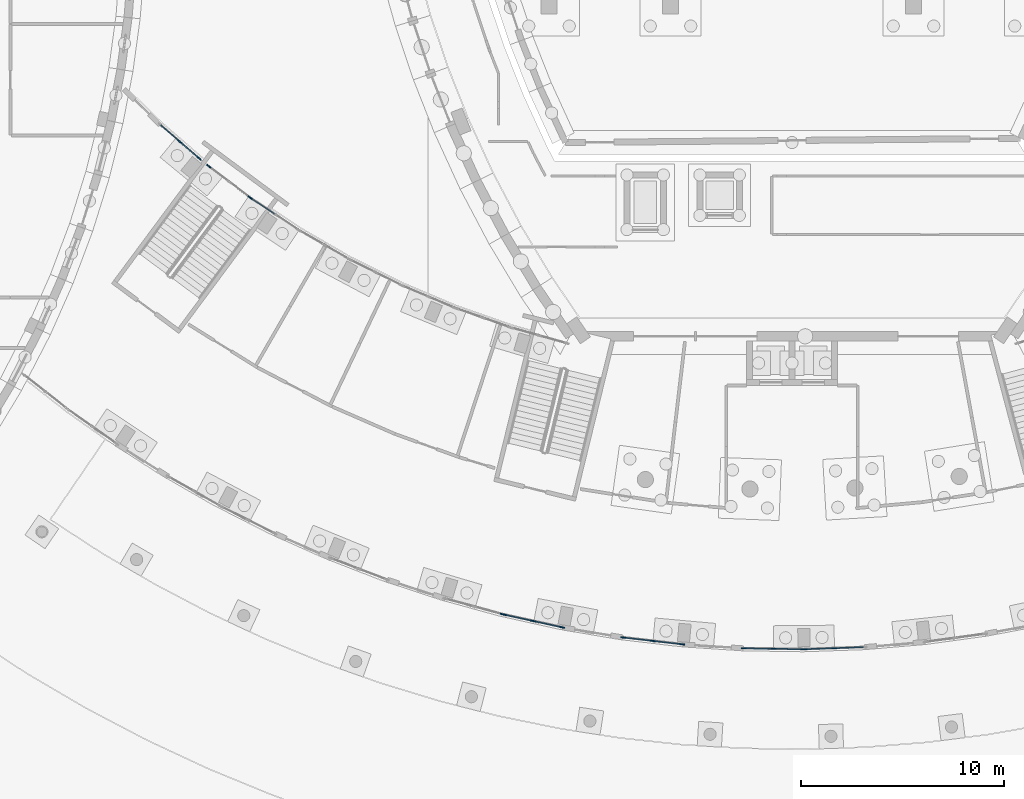
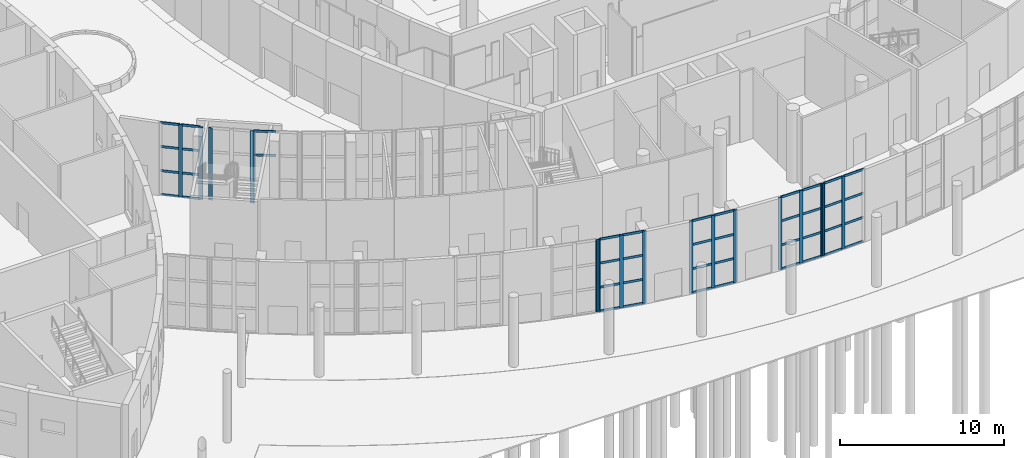
# One storey, part 20 of 82: 58 members, 8 elements without a shape of their own.
"""IFC4 building model written with IfcOpenShell, lengths in metres."""

import ifcopenshell
import ifcopenshell.guid

model = None  # the IFC model being written
_history = None  # IfcOwnerHistory: only IFC2X3 demands one
_inside = {}  # id of a spatial element -> (the spatial element, [elements in it])
_under = {}  # id of a project, library or spatial element -> (it, [spatial elements below it])
_declared = {}  # id of a project -> (the project, [libraries it declares])
_typed = {}  # id of a type object -> (the type object, [elements of that type])
_made_of = {}  # id of a material, layer set ... -> (it, [elements and type objects made of it])


def new_model(schema):
    """Start an empty IFC model of exactly this schema.

    Asked for "IFC4X3", IfcOpenShell would pick the latest addendum, in which some entities
    have other attributes; the version numbers below select the first issue.
    IFC2X3 requires an IfcOwnerHistory on every rooted entity: one is made here for all.
    """
    global model, _history
    if schema == "IFC4X3":
        model = ifcopenshell.file(schema_version=(4, 3, 0, 0))
    else:
        model = ifcopenshell.file(schema=schema)
    _inside.clear()
    _under.clear()
    _declared.clear()
    _typed.clear()
    _made_of.clear()
    _history = None
    if model.schema == "IFC2X3":
        org = make("IfcOrganization", Name="unknown")
        user = make(
            "IfcPersonAndOrganization",
            ThePerson=make("IfcPerson", FamilyName="unknown"),
            TheOrganization=org,
        )
        app = make(
            "IfcApplication",
            ApplicationDeveloper=org,
            Version="unknown",
            ApplicationFullName="unknown",
            ApplicationIdentifier="unknown",
        )
        _history = make(
            "IfcOwnerHistory",
            OwningUser=user,
            OwningApplication=app,
            ChangeAction="ADDED",
            CreationDate=0,
        )
    return model


def make(cls, **values):
    """One entity of the class cls with the attributes given. An attribute that is None is left unset."""
    return model.create_entity(
        cls, **{name: value for name, value in values.items() if value is not None}
    )


def rooted(cls, **values):
    """An entity with a GlobalId (a new one), such as an element, a storey or a relation."""
    return make(cls, GlobalId=ifcopenshell.guid.new(), OwnerHistory=_history, **values)


def si_unit(unit_type, name, prefix=None):
    """IfcSIUnit, for example si_unit("LENGTHUNIT", "METRE", prefix="MILLI")."""
    return make("IfcSIUnit", UnitType=unit_type, Prefix=prefix, Name=name)


def assignment(units):
    """IfcUnitAssignment: the units of a project."""
    return None if units is None else make("IfcUnitAssignment", Units=units)


def point(xyz):
    """IfcCartesianPoint."""
    return None if xyz is None else make("IfcCartesianPoint", Coordinates=xyz)


def direction(xyz):
    """IfcDirection."""
    return None if xyz is None else make("IfcDirection", DirectionRatios=xyz)


def frame(location, z_axis=None, x_axis=None):
    """IfcAxis2Placement3D, a coordinate frame: its origin and axes. An axis left out is left unset."""
    return make(
        "IfcAxis2Placement3D",
        Location=point(location),
        Axis=direction(z_axis),
        RefDirection=direction(x_axis),
    )


def frame_2d(location, x_axis=None):
    """IfcAxis2Placement2D, a coordinate frame in the plane: its origin and x axis."""
    return make(
        "IfcAxis2Placement2D", Location=point(location), RefDirection=direction(x_axis)
    )


def origin():
    """The frame at (0, 0, 0) with its axes left unset."""
    return frame((0.0, 0.0, 0.0))


def origin_2d():
    """The frame at (0, 0) in the plane with its x axis left unset."""
    return frame_2d((0.0, 0.0))


def place(relative_to, where):
    """IfcLocalPlacement: puts the frame where relative to a parent placement (None: the world)."""
    return make(
        "IfcLocalPlacement", PlacementRelTo=relative_to, RelativePlacement=where
    )


def context(
    kind, dimensions, precision=None, world=None, true_north=None, identifier=None
):
    """IfcGeometricRepresentationContext, for example the 3D "Model" context."""
    return make(
        "IfcGeometricRepresentationContext",
        ContextIdentifier=identifier,
        ContextType=kind,
        CoordinateSpaceDimension=dimensions,
        Precision=precision,
        WorldCoordinateSystem=world,
        TrueNorth=true_north,
    )


def subcontext(parent, identifier, kind, view, scale=None):
    """IfcGeometricRepresentationSubContext, for example "Body" below "Model"."""
    return make(
        "IfcGeometricRepresentationSubContext",
        ContextIdentifier=identifier,
        ContextType=kind,
        ParentContext=parent,
        TargetScale=scale,
        TargetView=view,
    )


def project(units=None, contexts=None):
    """IfcProject with its units and contexts."""
    return rooted(
        "IfcProject",
        Name="project",
        RepresentationContexts=contexts,
        UnitsInContext=assignment(units),
    )


def spatial(cls, under=None, at=None, **own):
    """A site, building, storey or space (cls), placed at a placement, below another one or the project."""
    s = rooted(cls, ObjectPlacement=at, **own)
    if under is not None:
        _under.setdefault(under.id(), (under, []))[1].append(s)
    return s


def profile(cls, at=None, kind="AREA", **sizes):
    """A parametric profile (cls). Its sizes go by their IFC names, for example OverallWidth=200.0."""
    return make(cls, ProfileType=kind, Position=at, **sizes)


def rectangle(**sizes):
    """IfcRectangleProfileDef."""
    return profile("IfcRectangleProfileDef", **sizes)


def extrude(swept, where, along, depth):
    """IfcExtrudedAreaSolid: the profile swept, set in the frame where, extruded along a direction by depth."""
    return make(
        "IfcExtrudedAreaSolid",
        SweptArea=swept,
        Position=where,
        ExtrudedDirection=direction(along),
        Depth=depth,
    )


def shape(context_of_items, identifier, shape_type, items):
    """IfcShapeRepresentation: the items that make up one representation, for example the "Body"."""
    return make(
        "IfcShapeRepresentation",
        ContextOfItems=context_of_items,
        RepresentationIdentifier=identifier,
        RepresentationType=shape_type,
        Items=items,
    )


def material(Name=None, Category=None):
    """IfcMaterial."""
    return make("IfcMaterial", Name=Name, Category=Category)


def material_profile(
    of_material, cross_section, Name=None, Category=None, Priority=None
):
    """IfcMaterialProfile: a cross section and its material."""
    return make(
        "IfcMaterialProfile",
        Name=Name,
        Material=of_material,
        Profile=cross_section,
        Priority=Priority,
        Category=Category,
    )


def profile_set(profiles, Name=None, composite=None):
    """IfcMaterialProfileSet."""
    return make(
        "IfcMaterialProfileSet",
        Name=Name,
        MaterialProfiles=profiles,
        CompositeProfile=composite,
    )


def made_of(thing, what):
    """Note that an element or type object is made of a material, layer set ...; save() writes the relation."""
    if what is not None:
        _made_of.setdefault(what.id(), (what, []))[1].append(thing)
    return thing


def type_object(cls, material=None, **own):
    """A type object (cls), such as IfcWallType, which elements share."""
    return made_of(rooted(cls, **own), material)


def element(
    cls,
    number,
    at=None,
    inside=None,
    cuts=None,
    type_object=None,
    material=None,
    context=None,
    identifier="Body",
    shape_type=None,
    held_by="IfcProductDefinitionShape",
    body=None,
    shapes=None,
    **own,
):
    """One element of the class cls, such as IfcWall. Its Tag is "e" and its number.

    at: its placement. inside: the storey or other place that contains it. cuts: it is an
    opening in that element (IfcRelVoidsElement). A single representation is given by context,
    identifier, shape_type and body (its items); several are given by shapes. held_by: the class
    of the entity that holds the representations. save() writes the other relations.
    """
    e = rooted(cls, Tag="e%d" % number, ObjectPlacement=at, **own)
    if body is not None:
        shapes = [shape(context, identifier, shape_type, body)]
    if shapes is not None:
        e.Representation = make(held_by, Representations=shapes)
    if inside is not None:
        _inside.setdefault(inside.id(), (inside, []))[1].append(e)
    if cuts is not None:
        rooted(
            "IfcRelVoidsElement", RelatingBuildingElement=cuts, RelatedOpeningElement=e
        )
    if type_object is not None:
        _typed.setdefault(type_object.id(), (type_object, []))[1].append(e)
    return made_of(e, material)


def aggregate(whole, parts):
    """IfcRelAggregates: a whole, such as a stair, and the parts it consists of."""
    return rooted("IfcRelAggregates", RelatingObject=whole, RelatedObjects=parts)


def save(model, path):
    """Write the relations noted so far, then the file.

    IfcRelAggregates (storeys below a building ...), IfcRelContainedInSpatialStructure (elements
    in a storey), IfcRelDefinesByType, IfcRelAssociatesMaterial and IfcRelDeclares: one each for
    every whole, place, type object, material and project.
    """
    for whole, parts in _under.values():
        aggregate(whole, parts)
    for where, things in _inside.values():
        rooted(
            "IfcRelContainedInSpatialStructure",
            RelatedElements=things,
            RelatingStructure=where,
        )
    for kind, things in _typed.values():
        rooted("IfcRelDefinesByType", RelatedObjects=things, RelatingType=kind)
    for what, things in _made_of.values():
        rooted("IfcRelAssociatesMaterial", RelatedObjects=things, RelatingMaterial=what)
    for by, libraries in _declared.values():
        rooted("IfcRelDeclares", RelatingContext=by, RelatedDefinitions=libraries)
    model.write(path)


model = new_model("IFC4")

# Units and contexts
model_context = context("Model", 3, precision=1e-05, world=origin(), true_north=direction((0.0, 1.0)))
body_context = subcontext(model_context, "Body", "Model", "MODEL_VIEW")
ifc_project = project(units=[si_unit("LENGTHUNIT", "METRE"), si_unit("AREAUNIT", "SQUARE_METRE"), si_unit("VOLUMEUNIT", "CUBIC_METRE"), si_unit("PLANEANGLEUNIT", "RADIAN"), si_unit("MASSUNIT", "GRAM", prefix="KILO")], contexts=[model_context])

# Site, building, storey
site_placement = place(None, origin())
site = spatial("IfcSite", under=ifc_project, at=site_placement, CompositionType="ELEMENT")
building_placement = place(site_placement, origin())
building = spatial("IfcBuilding", under=site, at=building_placement, Name="Tide Square Theatres", CompositionType="ELEMENT")
storey_placement = place(building_placement, origin())
storey = spatial("IfcBuildingStorey", under=building, at=storey_placement, Name="L00", CompositionType="ELEMENT", Elevation=0.0)

# Curtain wall, member
ifc_material_1 = material(Name="Aluminium 6063-T5", Category="aluminium")
curtain_wall_type = type_object("IfcCurtainWallType", Name="Unitised system curtain wall 5400 high", PredefinedType="USERDEFINED", material=ifc_material_1)
curtain_wall_1_placement = place(storey_placement, origin())
curtain_wall_1 = element("IfcCurtainWall", 1, at=curtain_wall_1_placement, inside=storey, type_object=curtain_wall_type, Name="Foyer outer curtain wall", ObjectType="UNITISED SYSTEM", PredefinedType="USERDEFINED")
ifc_material_2 = material(Name="Aluminium 6063-T5", Category="aluminium")
ifc_material_profile_1 = material_profile(ifc_material_2, rectangle(XDim=0.06005859375, YDim=0.25, at=origin_2d()))
ifc_profile_set_1 = profile_set([ifc_material_profile_1], Name="Aluminium 6063-T5")
member_type_1 = type_object("IfcMemberType", Name="Aluminium mullion 60 x 250", PredefinedType="MULLION", material=ifc_profile_set_1)
member_1_placement = place(storey_placement, frame((69.719482421875, 9.853759765625, 0.0), z_axis=(0.0, 0.0, 1.0), x_axis=(0.262213530715, 0.96500987783, 0.0)))
member_1 = element("IfcMember", 2, at=member_1_placement, type_object=member_type_1, Name="CW-01 mullion 3", PredefinedType="MULLION", context=body_context, shape_type="SweptSolid", body=[
    extrude(rectangle(XDim=0.06005859375, YDim=0.25, at=origin_2d()), origin(), (0.0, 0.0, 1.0), 5.39990234375),
])
aggregate(curtain_wall_1, [member_1])

# Curtain wall, members
curtain_wall_2_placement = place(storey_placement, origin())
curtain_wall_2 = element("IfcCurtainWall", 3, at=curtain_wall_2_placement, inside=storey, type_object=curtain_wall_type, Name="Foyer outer curtain wall", ObjectType="UNITISED SYSTEM", PredefinedType="USERDEFINED")
member_2_placement = place(storey_placement, frame((69.77783203125, 9.839599609375, 0.0), z_axis=(0.0, 0.0, 1.0), x_axis=(0.213653079584, 0.976909597447, 0.0)))
member_2 = element("IfcMember", 4, at=member_2_placement, type_object=member_type_1, Name="CW-01 mullion 1", PredefinedType="MULLION", context=body_context, shape_type="SweptSolid", body=[
    extrude(rectangle(XDim=0.06005859375, YDim=0.25, at=origin_2d()), origin(), (0.0, 0.0, 1.0), 5.39990234375),
])
member_3_placement = place(storey_placement, frame((71.2119140625, 9.52587890625, 0.0), z_axis=(0.0, 0.0, 1.0), x_axis=(0.213653079584, 0.976909597447, 0.0)))
member_3 = element("IfcMember", 5, at=member_3_placement, type_object=member_type_1, Name="CW-01 mullion 2", PredefinedType="MULLION", context=body_context, shape_type="SweptSolid", body=[
    extrude(rectangle(XDim=0.06005859375, YDim=0.25, at=origin_2d()), origin(), (0.0, 0.0, 1.0), 5.39990234375),
])
member_4_placement = place(storey_placement, frame((72.64599609375, 9.212158203125, 0.0), z_axis=(0.0, 0.0, 1.0), x_axis=(0.213653079584, 0.976909597447, 0.0)))
member_4 = element("IfcMember", 6, at=member_4_placement, type_object=member_type_1, Name="CW-01 mullion 3", PredefinedType="MULLION", context=body_context, shape_type="SweptSolid", body=[
    extrude(rectangle(XDim=0.06005859375, YDim=0.25, at=origin_2d()), origin(), (0.0, 0.0, 1.0), 5.39990234375),
])

curtain_wall_3_placement = place(storey_placement, origin())
curtain_wall_3 = element("IfcCurtainWall", 7, at=curtain_wall_3_placement, inside=storey, type_object=curtain_wall_type, Name="Foyer outer curtain wall", ObjectType="UNITISED SYSTEM", PredefinedType="USERDEFINED")
member_5_placement = place(storey_placement, frame((75.66015625, 8.70947265625, 0.0), z_axis=(0.0, 0.0, 1.0), x_axis=(0.114954765797, 0.993370727282, 0.0)))
member_5 = element("IfcMember", 8, at=member_5_placement, type_object=member_type_1, Name="CW-01 mullion 1", PredefinedType="MULLION", context=body_context, shape_type="SweptSolid", body=[
    extrude(rectangle(XDim=0.06005859375, YDim=0.25, at=origin_2d()), origin(), (0.0, 0.0, 1.0), 5.39990234375),
])
member_6_placement = place(storey_placement, frame((77.118408203125, 8.540771484375, 0.0), z_axis=(0.0, 0.0, 1.0), x_axis=(0.114954765797, 0.993370727282, 0.0)))
member_6 = element("IfcMember", 9, at=member_6_placement, type_object=member_type_1, Name="CW-01 mullion 2", PredefinedType="MULLION", context=body_context, shape_type="SweptSolid", body=[
    extrude(rectangle(XDim=0.06005859375, YDim=0.25, at=origin_2d()), origin(), (0.0, 0.0, 1.0), 5.39990234375),
])
member_7_placement = place(storey_placement, frame((78.57666015625, 8.3720703125, 0.0), z_axis=(0.0, 0.0, 1.0), x_axis=(0.114954765797, 0.993370727282, 0.0)))
member_7 = element("IfcMember", 10, at=member_7_placement, type_object=member_type_1, Name="CW-01 mullion 3", PredefinedType="MULLION", context=body_context, shape_type="SweptSolid", body=[
    extrude(rectangle(XDim=0.06005859375, YDim=0.25, at=origin_2d()), origin(), (0.0, 0.0, 1.0), 5.39990234375),
])

curtain_wall_4_placement = place(storey_placement, origin())
curtain_wall_4 = element("IfcCurtainWall", 11, at=curtain_wall_4_placement, inside=storey, type_object=curtain_wall_type, Name="Foyer outer curtain wall", ObjectType="UNITISED SYSTEM", PredefinedType="USERDEFINED")
member_8_placement = place(storey_placement, frame((81.626220703125, 8.1728515625, 0.0), z_axis=(0.0, 0.0, 1.0), x_axis=(0.015120450414, 0.999885679455, 0.0)))
member_8 = element("IfcMember", 12, at=member_8_placement, type_object=member_type_1, Name="CW-01 mullion 1", PredefinedType="MULLION", context=body_context, shape_type="SweptSolid", body=[
    extrude(rectangle(XDim=0.06005859375, YDim=0.25, at=origin_2d()), origin(), (0.0, 0.0, 1.0), 5.39990234375),
])
member_9_placement = place(storey_placement, frame((83.093994140625, 8.150634765625, 0.0), z_axis=(0.0, 0.0, 1.0), x_axis=(0.015120450414, 0.999885679455, 0.0)))
member_9 = element("IfcMember", 13, at=member_9_placement, type_object=member_type_1, Name="CW-01 mullion 2", PredefinedType="MULLION", context=body_context, shape_type="SweptSolid", body=[
    extrude(rectangle(XDim=0.06005859375, YDim=0.25, at=origin_2d()), origin(), (0.0, 0.0, 1.0), 5.39990234375),
])
member_10_placement = place(storey_placement, frame((84.561767578125, 8.12841796875, 0.0), z_axis=(0.0, 0.0, 1.0), x_axis=(0.015120450414, 0.999885679455, 0.0)))
member_10 = element("IfcMember", 14, at=member_10_placement, type_object=member_type_1, Name="CW-01 mullion 3", PredefinedType="MULLION", context=body_context, shape_type="SweptSolid", body=[
    extrude(rectangle(XDim=0.06005859375, YDim=0.25, at=origin_2d()), origin(), (0.0, 0.0, 1.0), 5.39990234375),
])

curtain_wall_5_placement = place(storey_placement, origin())
curtain_wall_5 = element("IfcCurtainWall", 15, at=curtain_wall_5_placement, inside=storey, type_object=curtain_wall_type, Name="Foyer outer curtain wall", ObjectType="UNITISED SYSTEM", PredefinedType="USERDEFINED")
member_11_placement = place(storey_placement, frame((84.621826171875, 8.129150390625, 0.0), z_axis=(0.0, 0.0, 1.0), x_axis=(-0.034879571875, 0.999391522611, 0.0)))
member_11 = element("IfcMember", 16, at=member_11_placement, type_object=member_type_1, Name="CW-01 mullion 1", PredefinedType="MULLION", context=body_context, shape_type="SweptSolid", body=[
    extrude(rectangle(XDim=0.06005859375, YDim=0.25, at=origin_2d()), origin(), (0.0, 0.0, 1.0), 5.39990234375),
])
member_12_placement = place(storey_placement, frame((86.0888671875, 8.18017578125, 0.0), z_axis=(0.0, 0.0, 1.0), x_axis=(-0.034879571875, 0.999391522611, 0.0)))
member_12 = element("IfcMember", 17, at=member_12_placement, type_object=member_type_1, Name="CW-01 mullion 2", PredefinedType="MULLION", context=body_context, shape_type="SweptSolid", body=[
    extrude(rectangle(XDim=0.06005859375, YDim=0.25, at=origin_2d()), origin(), (0.0, 0.0, 1.0), 5.39990234375),
])

curtain_wall_6_placement = place(storey_placement, origin())
curtain_wall_6 = element("IfcCurtainWall", 18, at=curtain_wall_6_placement, inside=storey, type_object=curtain_wall_type, Name="Foyer inner curtain wall", ObjectType="UNITISED SYSTEM", PredefinedType="USERDEFINED")
member_13_placement = place(storey_placement, frame((57.24072265625, 30.431884765625, 0.0), z_axis=(0.0, 0.0, 1.0), x_axis=(-0.604785752731, -0.796388217702, 0.0)))
member_13 = element("IfcMember", 19, at=member_13_placement, type_object=member_type_1, Name="CW-01 mullion 1", PredefinedType="MULLION", context=body_context, shape_type="SweptSolid", body=[
    extrude(rectangle(XDim=0.06005859375, YDim=0.25, at=origin_2d()), origin(), (0.0, 0.0, 1.0), 5.39990234375),
])
member_14_placement = place(storey_placement, frame((55.19775390625, 31.983154296875, 0.0), z_axis=(0.0, 0.0, 1.0), x_axis=(-0.604785752731, -0.796388217702, 0.0)))
member_14 = element("IfcMember", 20, at=member_14_placement, type_object=member_type_1, Name="CW-01 mullion 3", PredefinedType="MULLION", context=body_context, shape_type="SweptSolid", body=[
    extrude(rectangle(XDim=0.06005859375, YDim=0.25, at=origin_2d()), origin(), (0.0, 0.0, 1.0), 5.39990234375),
])
aggregate(curtain_wall_6, [member_13, member_14])

curtain_wall_7_placement = place(storey_placement, origin())
curtain_wall_7 = element("IfcCurtainWall", 21, at=curtain_wall_7_placement, inside=storey, type_object=curtain_wall_type, Name="Foyer inner curtain wall", ObjectType="UNITISED SYSTEM", PredefinedType="USERDEFINED")
member_15_placement = place(storey_placement, frame((54.724609375, 32.367919921875, 0.0), z_axis=(0.0, 0.0, 1.0), x_axis=(-0.653310647886, -0.75708995328, 0.0)))
member_15 = element("IfcMember", 22, at=member_15_placement, type_object=member_type_1, Name="CW-01 mullion 1", PredefinedType="MULLION", context=body_context, shape_type="SweptSolid", body=[
    extrude(rectangle(XDim=0.06005859375, YDim=0.25, at=origin_2d()), origin(), (0.0, 0.0, 1.0), 5.39990234375),
])
member_16_placement = place(storey_placement, frame((53.768798828125, 33.19287109375, 0.0), z_axis=(0.0, 0.0, 1.0), x_axis=(-0.653310647886, -0.75708995328, 0.0)))
member_16 = element("IfcMember", 23, at=member_16_placement, type_object=member_type_1, Name="CW-01 mullion 2", PredefinedType="MULLION", context=body_context, shape_type="SweptSolid", body=[
    extrude(rectangle(XDim=0.06005859375, YDim=0.25, at=origin_2d()), origin(), (0.0, 0.0, 1.0), 5.39990234375),
])

# Member
ifc_material_3 = material(Name="Aluminium 6063-T5", Category="aluminium")
ifc_material_profile_2 = material_profile(ifc_material_3, rectangle(XDim=0.050048828125, YDim=0.175048828125, at=origin_2d()))
ifc_profile_set_2 = profile_set([ifc_material_profile_2], Name="Aluminium 6063-T5")
member_type_2 = type_object("IfcMemberType", Name="Aluminium transom 50 x 175", PredefinedType="USERDEFINED", material=ifc_profile_set_2)
member_17_placement = place(storey_placement, frame((69.80712890625, 9.8330078125, 0.02490234375), z_axis=(0.976915851486, -0.213624481546, 0.0), x_axis=(0.213624481546, 0.976915851486, 0.0)))
member_17 = element("IfcMember", 24, at=member_17_placement, type_object=member_type_2, Name="CW-01 transom 1.1", ObjectType="TRANSOM", PredefinedType="USERDEFINED", context=body_context, shape_type="SweptSolid", body=[
    extrude(rectangle(XDim=0.050048828125, YDim=0.175048828125, at=origin_2d()), origin(), (0.0, 0.0, 1.0), 1.407958984375),
])

member_18_placement = place(storey_placement, frame((69.80712890625, 9.8330078125, 1.800048828125), z_axis=(0.976915851486, -0.213624481546, 0.0), x_axis=(0.213624481546, 0.976915851486, 0.0)))
member_18 = element("IfcMember", 25, at=member_18_placement, type_object=member_type_2, Name="CW-01 transom 1.2", ObjectType="TRANSOM", PredefinedType="USERDEFINED", context=body_context, shape_type="SweptSolid", body=[
    extrude(rectangle(XDim=0.050048828125, YDim=0.175048828125, at=origin_2d()), origin(), (0.0, 0.0, 1.0), 1.407958984375),
])

member_19_placement = place(storey_placement, frame((69.80712890625, 9.8330078125, 3.60009765625), z_axis=(0.976915851486, -0.213624481546, 0.0), x_axis=(0.213624481546, 0.976915851486, 0.0)))
member_19 = element("IfcMember", 26, at=member_19_placement, type_object=member_type_2, Name="CW-01 transom 1.3", ObjectType="TRANSOM", PredefinedType="USERDEFINED", context=body_context, shape_type="SweptSolid", body=[
    extrude(rectangle(XDim=0.050048828125, YDim=0.175048828125, at=origin_2d()), origin(), (0.0, 0.0, 1.0), 1.407958984375),
])

member_20_placement = place(storey_placement, frame((69.80712890625, 9.8330078125, 5.375), z_axis=(0.976915851486, -0.213624481546, 0.0), x_axis=(0.213624481546, 0.976915851486, 0.0)))
member_20 = element("IfcMember", 27, at=member_20_placement, type_object=member_type_2, Name="CW-01 transom 1.4", ObjectType="TRANSOM", PredefinedType="USERDEFINED", context=body_context, shape_type="SweptSolid", body=[
    extrude(rectangle(XDim=0.050048828125, YDim=0.175048828125, at=origin_2d()), origin(), (0.0, 0.0, 1.0), 1.407958984375),
])

member_21_placement = place(storey_placement, frame((71.2412109375, 9.51953125, 0.02490234375), z_axis=(0.976879652152, -0.213789955822, 0.0), x_axis=(0.213789955822, 0.976879652152, 0.0)))
member_21 = element("IfcMember", 28, at=member_21_placement, type_object=member_type_2, Name="CW-01 transom 2.1", ObjectType="TRANSOM", PredefinedType="USERDEFINED", context=body_context, shape_type="SweptSolid", body=[
    extrude(rectangle(XDim=0.050048828125, YDim=0.175048828125, at=origin_2d()), origin(), (0.0, 0.0, 1.0), 1.407958984375),
])

member_22_placement = place(storey_placement, frame((71.2412109375, 9.51953125, 1.800048828125), z_axis=(0.976879652152, -0.213789955822, 0.0), x_axis=(0.213789955822, 0.976879652152, 0.0)))
member_22 = element("IfcMember", 29, at=member_22_placement, type_object=member_type_2, Name="CW-01 transom 2.2", ObjectType="TRANSOM", PredefinedType="USERDEFINED", context=body_context, shape_type="SweptSolid", body=[
    extrude(rectangle(XDim=0.050048828125, YDim=0.175048828125, at=origin_2d()), origin(), (0.0, 0.0, 1.0), 1.407958984375),
])

member_23_placement = place(storey_placement, frame((71.2412109375, 9.51953125, 3.60009765625), z_axis=(0.976879652152, -0.213789955822, 0.0), x_axis=(0.213789955822, 0.976879652152, 0.0)))
member_23 = element("IfcMember", 30, at=member_23_placement, type_object=member_type_2, Name="CW-01 transom 2.3", ObjectType="TRANSOM", PredefinedType="USERDEFINED", context=body_context, shape_type="SweptSolid", body=[
    extrude(rectangle(XDim=0.050048828125, YDim=0.175048828125, at=origin_2d()), origin(), (0.0, 0.0, 1.0), 1.407958984375),
])

member_24_placement = place(storey_placement, frame((71.2412109375, 9.51953125, 5.375), z_axis=(0.976879652152, -0.213789955822, 0.0), x_axis=(0.213789955822, 0.976879652152, 0.0)))
member_24 = element("IfcMember", 31, at=member_24_placement, type_object=member_type_2, Name="CW-01 transom 2.4", ObjectType="TRANSOM", PredefinedType="USERDEFINED", context=body_context, shape_type="SweptSolid", body=[
    extrude(rectangle(XDim=0.050048828125, YDim=0.175048828125, at=origin_2d()), origin(), (0.0, 0.0, 1.0), 1.407958984375),
])

aggregate(curtain_wall_2, [member_2, member_3, member_4, member_17, member_18, member_19, member_20, member_21, member_22, member_23, member_24])

member_25_placement = place(storey_placement, frame((75.68994140625, 8.7060546875, 0.02490234375), z_axis=(0.993370150447, -0.114959750349, 0.0), x_axis=(0.114959750349, 0.993370150447, 0.0)))
member_25 = element("IfcMember", 32, at=member_25_placement, type_object=member_type_2, Name="CW-01 transom 1.1", ObjectType="TRANSOM", PredefinedType="USERDEFINED", context=body_context, shape_type="SweptSolid", body=[
    extrude(rectangle(XDim=0.050048828125, YDim=0.175048828125, at=origin_2d()), origin(), (0.0, 0.0, 1.0), 1.407958984375),
])

member_26_placement = place(storey_placement, frame((75.68994140625, 8.7060546875, 1.800048828125), z_axis=(0.993370150447, -0.114959750349, 0.0), x_axis=(0.114959750349, 0.993370150447, 0.0)))
member_26 = element("IfcMember", 33, at=member_26_placement, type_object=member_type_2, Name="CW-01 transom 1.2", ObjectType="TRANSOM", PredefinedType="USERDEFINED", context=body_context, shape_type="SweptSolid", body=[
    extrude(rectangle(XDim=0.050048828125, YDim=0.175048828125, at=origin_2d()), origin(), (0.0, 0.0, 1.0), 1.407958984375),
])

member_27_placement = place(storey_placement, frame((75.68994140625, 8.7060546875, 3.60009765625), z_axis=(0.993370150447, -0.114959750349, 0.0), x_axis=(0.114959750349, 0.993370150447, 0.0)))
member_27 = element("IfcMember", 34, at=member_27_placement, type_object=member_type_2, Name="CW-01 transom 1.3", ObjectType="TRANSOM", PredefinedType="USERDEFINED", context=body_context, shape_type="SweptSolid", body=[
    extrude(rectangle(XDim=0.050048828125, YDim=0.175048828125, at=origin_2d()), origin(), (0.0, 0.0, 1.0), 1.407958984375),
])

member_28_placement = place(storey_placement, frame((75.68994140625, 8.7060546875, 5.375), z_axis=(0.993370150447, -0.114959750349, 0.0), x_axis=(0.114959750349, 0.993370150447, 0.0)))
member_28 = element("IfcMember", 35, at=member_28_placement, type_object=member_type_2, Name="CW-01 transom 1.4", ObjectType="TRANSOM", PredefinedType="USERDEFINED", context=body_context, shape_type="SweptSolid", body=[
    extrude(rectangle(XDim=0.050048828125, YDim=0.175048828125, at=origin_2d()), origin(), (0.0, 0.0, 1.0), 1.407958984375),
])

member_29_placement = place(storey_placement, frame((77.148193359375, 8.537353515625, 0.02490234375), z_axis=(0.993370150447, -0.114959750349, 0.0), x_axis=(0.114959750349, 0.993370150447, 0.0)))
member_29 = element("IfcMember", 36, at=member_29_placement, type_object=member_type_2, Name="CW-01 transom 2.1", ObjectType="TRANSOM", PredefinedType="USERDEFINED", context=body_context, shape_type="SweptSolid", body=[
    extrude(rectangle(XDim=0.050048828125, YDim=0.175048828125, at=origin_2d()), origin(), (0.0, 0.0, 1.0), 1.407958984375),
])

member_30_placement = place(storey_placement, frame((77.148193359375, 8.537353515625, 1.800048828125), z_axis=(0.993370150447, -0.114959750349, 0.0), x_axis=(0.114959750349, 0.993370150447, 0.0)))
member_30 = element("IfcMember", 37, at=member_30_placement, type_object=member_type_2, Name="CW-01 transom 2.2", ObjectType="TRANSOM", PredefinedType="USERDEFINED", context=body_context, shape_type="SweptSolid", body=[
    extrude(rectangle(XDim=0.050048828125, YDim=0.175048828125, at=origin_2d()), origin(), (0.0, 0.0, 1.0), 1.407958984375),
])

member_31_placement = place(storey_placement, frame((77.148193359375, 8.537353515625, 3.60009765625), z_axis=(0.993370150447, -0.114959750349, 0.0), x_axis=(0.114959750349, 0.993370150447, 0.0)))
member_31 = element("IfcMember", 38, at=member_31_placement, type_object=member_type_2, Name="CW-01 transom 2.3", ObjectType="TRANSOM", PredefinedType="USERDEFINED", context=body_context, shape_type="SweptSolid", body=[
    extrude(rectangle(XDim=0.050048828125, YDim=0.175048828125, at=origin_2d()), origin(), (0.0, 0.0, 1.0), 1.407958984375),
])

member_32_placement = place(storey_placement, frame((77.148193359375, 8.537353515625, 5.375), z_axis=(0.993370150447, -0.114959750349, 0.0), x_axis=(0.114959750349, 0.993370150447, 0.0)))
member_32 = element("IfcMember", 39, at=member_32_placement, type_object=member_type_2, Name="CW-01 transom 2.4", ObjectType="TRANSOM", PredefinedType="USERDEFINED", context=body_context, shape_type="SweptSolid", body=[
    extrude(rectangle(XDim=0.050048828125, YDim=0.175048828125, at=origin_2d()), origin(), (0.0, 0.0, 1.0), 1.407958984375),
])

aggregate(curtain_wall_3, [member_5, member_6, member_7, member_25, member_26, member_27, member_28, member_29, member_30, member_31, member_32])

member_33_placement = place(storey_placement, frame((81.65625, 8.17236328125, 0.02490234375), z_axis=(0.999886188778, -0.015086732297, 0.0), x_axis=(0.015086732297, 0.999886188778, 0.0)))
member_33 = element("IfcMember", 40, at=member_33_placement, type_object=member_type_2, Name="CW-01 transom 1.1", ObjectType="TRANSOM", PredefinedType="USERDEFINED", context=body_context, shape_type="SweptSolid", body=[
    extrude(rectangle(XDim=0.050048828125, YDim=0.175048828125, at=origin_2d()), origin(), (0.0, 0.0, 1.0), 1.407958984375),
])

member_34_placement = place(storey_placement, frame((81.65625, 8.17236328125, 1.800048828125), z_axis=(0.999886188778, -0.015086732297, 0.0), x_axis=(0.015086732297, 0.999886188778, 0.0)))
member_34 = element("IfcMember", 41, at=member_34_placement, type_object=member_type_2, Name="CW-01 transom 1.2", ObjectType="TRANSOM", PredefinedType="USERDEFINED", context=body_context, shape_type="SweptSolid", body=[
    extrude(rectangle(XDim=0.050048828125, YDim=0.175048828125, at=origin_2d()), origin(), (0.0, 0.0, 1.0), 1.407958984375),
])

member_35_placement = place(storey_placement, frame((81.65625, 8.17236328125, 3.60009765625), z_axis=(0.999886188778, -0.015086732297, 0.0), x_axis=(0.015086732297, 0.999886188778, 0.0)))
member_35 = element("IfcMember", 42, at=member_35_placement, type_object=member_type_2, Name="CW-01 transom 1.3", ObjectType="TRANSOM", PredefinedType="USERDEFINED", context=body_context, shape_type="SweptSolid", body=[
    extrude(rectangle(XDim=0.050048828125, YDim=0.175048828125, at=origin_2d()), origin(), (0.0, 0.0, 1.0), 1.407958984375),
])

member_36_placement = place(storey_placement, frame((81.65625, 8.17236328125, 5.375), z_axis=(0.999886188778, -0.015086732297, 0.0), x_axis=(0.015086732297, 0.999886188778, 0.0)))
member_36 = element("IfcMember", 43, at=member_36_placement, type_object=member_type_2, Name="CW-01 transom 1.4", ObjectType="TRANSOM", PredefinedType="USERDEFINED", context=body_context, shape_type="SweptSolid", body=[
    extrude(rectangle(XDim=0.050048828125, YDim=0.175048828125, at=origin_2d()), origin(), (0.0, 0.0, 1.0), 1.407958984375),
])

member_37_placement = place(storey_placement, frame((83.1240234375, 8.150146484375, 0.02490234375), z_axis=(0.999886188778, -0.015086732297, 0.0), x_axis=(0.015086732297, 0.999886188778, 0.0)))
member_37 = element("IfcMember", 44, at=member_37_placement, type_object=member_type_2, Name="CW-01 transom 2.1", ObjectType="TRANSOM", PredefinedType="USERDEFINED", context=body_context, shape_type="SweptSolid", body=[
    extrude(rectangle(XDim=0.050048828125, YDim=0.175048828125, at=origin_2d()), origin(), (0.0, 0.0, 1.0), 1.407958984375),
])

member_38_placement = place(storey_placement, frame((83.1240234375, 8.150146484375, 1.800048828125), z_axis=(0.999886188778, -0.015086732297, 0.0), x_axis=(0.015086732297, 0.999886188778, 0.0)))
member_38 = element("IfcMember", 45, at=member_38_placement, type_object=member_type_2, Name="CW-01 transom 2.2", ObjectType="TRANSOM", PredefinedType="USERDEFINED", context=body_context, shape_type="SweptSolid", body=[
    extrude(rectangle(XDim=0.050048828125, YDim=0.175048828125, at=origin_2d()), origin(), (0.0, 0.0, 1.0), 1.407958984375),
])

member_39_placement = place(storey_placement, frame((83.1240234375, 8.150146484375, 3.60009765625), z_axis=(0.999886188778, -0.015086732297, 0.0), x_axis=(0.015086732297, 0.999886188778, 0.0)))
member_39 = element("IfcMember", 46, at=member_39_placement, type_object=member_type_2, Name="CW-01 transom 2.3", ObjectType="TRANSOM", PredefinedType="USERDEFINED", context=body_context, shape_type="SweptSolid", body=[
    extrude(rectangle(XDim=0.050048828125, YDim=0.175048828125, at=origin_2d()), origin(), (0.0, 0.0, 1.0), 1.407958984375),
])

member_40_placement = place(storey_placement, frame((83.1240234375, 8.150146484375, 5.375), z_axis=(0.999886188778, -0.015086732297, 0.0), x_axis=(0.015086732297, 0.999886188778, 0.0)))
member_40 = element("IfcMember", 47, at=member_40_placement, type_object=member_type_2, Name="CW-01 transom 2.4", ObjectType="TRANSOM", PredefinedType="USERDEFINED", context=body_context, shape_type="SweptSolid", body=[
    extrude(rectangle(XDim=0.050048828125, YDim=0.175048828125, at=origin_2d()), origin(), (0.0, 0.0, 1.0), 1.407958984375),
])

aggregate(curtain_wall_4, [member_8, member_9, member_10, member_33, member_34, member_35, member_36, member_37, member_38, member_39, member_40])

member_41_placement = place(storey_placement, frame((84.65185546875, 8.130126953125, 0.02490234375), z_axis=(0.999392328488, 0.034856473716, 0.0), x_axis=(-0.034856473716, 0.999392328488, 0.0)))
member_41 = element("IfcMember", 48, at=member_41_placement, type_object=member_type_2, Name="CW-01 transom 1.1", ObjectType="TRANSOM", PredefinedType="USERDEFINED", context=body_context, shape_type="SweptSolid", body=[
    extrude(rectangle(XDim=0.050048828125, YDim=0.175048828125, at=origin_2d()), origin(), (0.0, 0.0, 1.0), 1.407958984375),
])

member_42_placement = place(storey_placement, frame((84.65185546875, 8.130126953125, 1.800048828125), z_axis=(0.999392328488, 0.034856473716, 0.0), x_axis=(-0.034856473716, 0.999392328488, 0.0)))
member_42 = element("IfcMember", 49, at=member_42_placement, type_object=member_type_2, Name="CW-01 transom 1.2", ObjectType="TRANSOM", PredefinedType="USERDEFINED", context=body_context, shape_type="SweptSolid", body=[
    extrude(rectangle(XDim=0.050048828125, YDim=0.175048828125, at=origin_2d()), origin(), (0.0, 0.0, 1.0), 1.407958984375),
])

member_43_placement = place(storey_placement, frame((84.65185546875, 8.130126953125, 3.60009765625), z_axis=(0.999392328488, 0.034856473716, 0.0), x_axis=(-0.034856473716, 0.999392328488, 0.0)))
member_43 = element("IfcMember", 50, at=member_43_placement, type_object=member_type_2, Name="CW-01 transom 1.3", ObjectType="TRANSOM", PredefinedType="USERDEFINED", context=body_context, shape_type="SweptSolid", body=[
    extrude(rectangle(XDim=0.050048828125, YDim=0.175048828125, at=origin_2d()), origin(), (0.0, 0.0, 1.0), 1.407958984375),
])

member_44_placement = place(storey_placement, frame((84.65185546875, 8.130126953125, 5.375), z_axis=(0.999392328488, 0.034856473716, 0.0), x_axis=(-0.034856473716, 0.999392328488, 0.0)))
member_44 = element("IfcMember", 51, at=member_44_placement, type_object=member_type_2, Name="CW-01 transom 1.4", ObjectType="TRANSOM", PredefinedType="USERDEFINED", context=body_context, shape_type="SweptSolid", body=[
    extrude(rectangle(XDim=0.050048828125, YDim=0.175048828125, at=origin_2d()), origin(), (0.0, 0.0, 1.0), 1.407958984375),
])

member_45_placement = place(storey_placement, frame((86.118896484375, 8.181396484375, 0.02490234375), z_axis=(0.999392539128, 0.03485043379, 0.0), x_axis=(-0.03485043379, 0.999392539128, 0.0)))
member_45 = element("IfcMember", 52, at=member_45_placement, type_object=member_type_2, Name="CW-01 transom 2.1", ObjectType="TRANSOM", PredefinedType="USERDEFINED", context=body_context, shape_type="SweptSolid", body=[
    extrude(rectangle(XDim=0.050048828125, YDim=0.175048828125, at=origin_2d()), origin(), (0.0, 0.0, 1.0), 1.408203125),
])

member_46_placement = place(storey_placement, frame((86.118896484375, 8.181396484375, 1.800048828125), z_axis=(0.999392539128, 0.03485043379, 0.0), x_axis=(-0.03485043379, 0.999392539128, 0.0)))
member_46 = element("IfcMember", 53, at=member_46_placement, type_object=member_type_2, Name="CW-01 transom 2.2", ObjectType="TRANSOM", PredefinedType="USERDEFINED", context=body_context, shape_type="SweptSolid", body=[
    extrude(rectangle(XDim=0.050048828125, YDim=0.175048828125, at=origin_2d()), origin(), (0.0, 0.0, 1.0), 1.408203125),
])

member_47_placement = place(storey_placement, frame((86.118896484375, 8.181396484375, 3.60009765625), z_axis=(0.999392539128, 0.03485043379, 0.0), x_axis=(-0.03485043379, 0.999392539128, 0.0)))
member_47 = element("IfcMember", 54, at=member_47_placement, type_object=member_type_2, Name="CW-01 transom 2.3", ObjectType="TRANSOM", PredefinedType="USERDEFINED", context=body_context, shape_type="SweptSolid", body=[
    extrude(rectangle(XDim=0.050048828125, YDim=0.175048828125, at=origin_2d()), origin(), (0.0, 0.0, 1.0), 1.408203125),
])

member_48_placement = place(storey_placement, frame((86.118896484375, 8.181396484375, 5.375), z_axis=(0.999392539128, 0.03485043379, 0.0), x_axis=(-0.03485043379, 0.999392539128, 0.0)))
member_48 = element("IfcMember", 55, at=member_48_placement, type_object=member_type_2, Name="CW-01 transom 2.4", ObjectType="TRANSOM", PredefinedType="USERDEFINED", context=body_context, shape_type="SweptSolid", body=[
    extrude(rectangle(XDim=0.050048828125, YDim=0.175048828125, at=origin_2d()), origin(), (0.0, 0.0, 1.0), 1.408203125),
])

aggregate(curtain_wall_5, [member_11, member_12, member_41, member_42, member_43, member_44, member_45, member_46, member_47, member_48])

# Curtain wall, members
curtain_wall_8_placement = place(storey_placement, origin())
curtain_wall_8 = element("IfcCurtainWall", 56, at=curtain_wall_8_placement, inside=storey, type_object=curtain_wall_type, Name="Foyer inner curtain wall", ObjectType="UNITISED SYSTEM", PredefinedType="USERDEFINED")
member_49_placement = place(storey_placement, frame((58.4384765625, 29.632568359375, 3.60009765625), z_axis=(-0.832578520155, 0.55390703893, 0.0), x_axis=(-0.55390703893, -0.832578520155, 0.0)))
member_49 = element("IfcMember", 57, at=member_49_placement, type_object=member_type_2, Name="CW-01 transom 2.3", ObjectType="TRANSOM", PredefinedType="USERDEFINED", context=body_context, shape_type="SweptSolid", body=[
    extrude(rectangle(XDim=0.050048828125, YDim=0.175048828125, at=origin_2d()), origin(), (0.0, 0.0, 1.0), 1.35009765625),
])
member_50_placement = place(storey_placement, frame((58.4384765625, 29.632568359375, 5.375), z_axis=(-0.832578520155, 0.55390703893, 0.0), x_axis=(-0.55390703893, -0.832578520155, 0.0)))
member_50 = element("IfcMember", 58, at=member_50_placement, type_object=member_type_2, Name="CW-01 transom 2.4", ObjectType="TRANSOM", PredefinedType="USERDEFINED", context=body_context, shape_type="SweptSolid", body=[
    extrude(rectangle(XDim=0.050048828125, YDim=0.175048828125, at=origin_2d()), origin(), (0.0, 0.0, 1.0), 1.35009765625),
])
aggregate(curtain_wall_8, [member_49, member_50])

# Member
member_51_placement = place(storey_placement, frame((54.701904296875, 32.387451171875, 0.02490234375), z_axis=(-0.757074028131, 0.653329102313, 0.0), x_axis=(-0.653329102313, -0.757074028131, 0.0)))
member_51 = element("IfcMember", 59, at=member_51_placement, type_object=member_type_2, Name="CW-01 transom 1.1", ObjectType="TRANSOM", PredefinedType="USERDEFINED", context=body_context, shape_type="SweptSolid", body=[
    extrude(rectangle(XDim=0.050048828125, YDim=0.175048828125, at=origin_2d()), origin(), (0.0, 0.0, 1.0), 1.20263671875),
])

member_52_placement = place(storey_placement, frame((54.701904296875, 32.387451171875, 1.800048828125), z_axis=(-0.757074028131, 0.653329102313, 0.0), x_axis=(-0.653329102313, -0.757074028131, 0.0)))
member_52 = element("IfcMember", 60, at=member_52_placement, type_object=member_type_2, Name="CW-01 transom 1.2", ObjectType="TRANSOM", PredefinedType="USERDEFINED", context=body_context, shape_type="SweptSolid", body=[
    extrude(rectangle(XDim=0.050048828125, YDim=0.175048828125, at=origin_2d()), origin(), (0.0, 0.0, 1.0), 1.20263671875),
])

member_53_placement = place(storey_placement, frame((54.701904296875, 32.387451171875, 3.60009765625), z_axis=(-0.757074028131, 0.653329102313, 0.0), x_axis=(-0.653329102313, -0.757074028131, 0.0)))
member_53 = element("IfcMember", 61, at=member_53_placement, type_object=member_type_2, Name="CW-01 transom 1.3", ObjectType="TRANSOM", PredefinedType="USERDEFINED", context=body_context, shape_type="SweptSolid", body=[
    extrude(rectangle(XDim=0.050048828125, YDim=0.175048828125, at=origin_2d()), origin(), (0.0, 0.0, 1.0), 1.20263671875),
])

member_54_placement = place(storey_placement, frame((54.701904296875, 32.387451171875, 5.375), z_axis=(-0.757074028131, 0.653329102313, 0.0), x_axis=(-0.653329102313, -0.757074028131, 0.0)))
member_54 = element("IfcMember", 62, at=member_54_placement, type_object=member_type_2, Name="CW-01 transom 1.4", ObjectType="TRANSOM", PredefinedType="USERDEFINED", context=body_context, shape_type="SweptSolid", body=[
    extrude(rectangle(XDim=0.050048828125, YDim=0.175048828125, at=origin_2d()), origin(), (0.0, 0.0, 1.0), 1.20263671875),
])

member_55_placement = place(storey_placement, frame((53.74609375, 33.21240234375, 0.02490234375), z_axis=(-0.757160666416, 0.653228692903, 0.0), x_axis=(-0.653228692903, -0.757160666416, 0.0)))
member_55 = element("IfcMember", 63, at=member_55_placement, type_object=member_type_2, Name="CW-01 transom 2.1", ObjectType="TRANSOM", PredefinedType="USERDEFINED", context=body_context, shape_type="SweptSolid", body=[
    extrude(rectangle(XDim=0.050048828125, YDim=0.175048828125, at=origin_2d()), origin(), (0.0, 0.0, 1.0), 1.20263671875),
])

member_56_placement = place(storey_placement, frame((53.74609375, 33.21240234375, 1.800048828125), z_axis=(-0.757160666416, 0.653228692903, 0.0), x_axis=(-0.653228692903, -0.757160666416, 0.0)))
member_56 = element("IfcMember", 64, at=member_56_placement, type_object=member_type_2, Name="CW-01 transom 2.2", ObjectType="TRANSOM", PredefinedType="USERDEFINED", context=body_context, shape_type="SweptSolid", body=[
    extrude(rectangle(XDim=0.050048828125, YDim=0.175048828125, at=origin_2d()), origin(), (0.0, 0.0, 1.0), 1.20263671875),
])

member_57_placement = place(storey_placement, frame((53.74609375, 33.21240234375, 3.60009765625), z_axis=(-0.757160666416, 0.653228692903, 0.0), x_axis=(-0.653228692903, -0.757160666416, 0.0)))
member_57 = element("IfcMember", 65, at=member_57_placement, type_object=member_type_2, Name="CW-01 transom 2.3", ObjectType="TRANSOM", PredefinedType="USERDEFINED", context=body_context, shape_type="SweptSolid", body=[
    extrude(rectangle(XDim=0.050048828125, YDim=0.175048828125, at=origin_2d()), origin(), (0.0, 0.0, 1.0), 1.20263671875),
])

member_58_placement = place(storey_placement, frame((53.74609375, 33.21240234375, 5.375), z_axis=(-0.757160666416, 0.653228692903, 0.0), x_axis=(-0.653228692903, -0.757160666416, 0.0)))
member_58 = element("IfcMember", 66, at=member_58_placement, type_object=member_type_2, Name="CW-01 transom 2.4", ObjectType="TRANSOM", PredefinedType="USERDEFINED", context=body_context, shape_type="SweptSolid", body=[
    extrude(rectangle(XDim=0.050048828125, YDim=0.175048828125, at=origin_2d()), origin(), (0.0, 0.0, 1.0), 1.20263671875),
])

aggregate(curtain_wall_7, [member_15, member_16, member_51, member_52, member_53, member_54, member_55, member_56, member_57, member_58])

save(model, "model.ifc")
